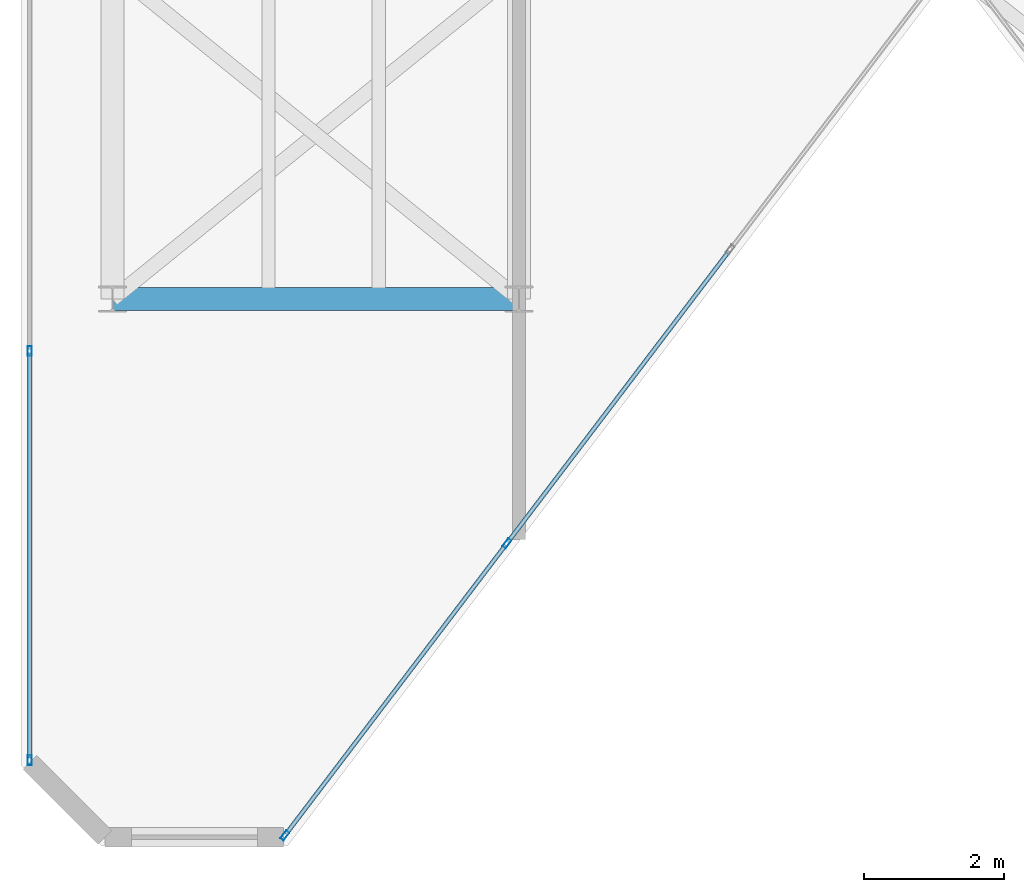
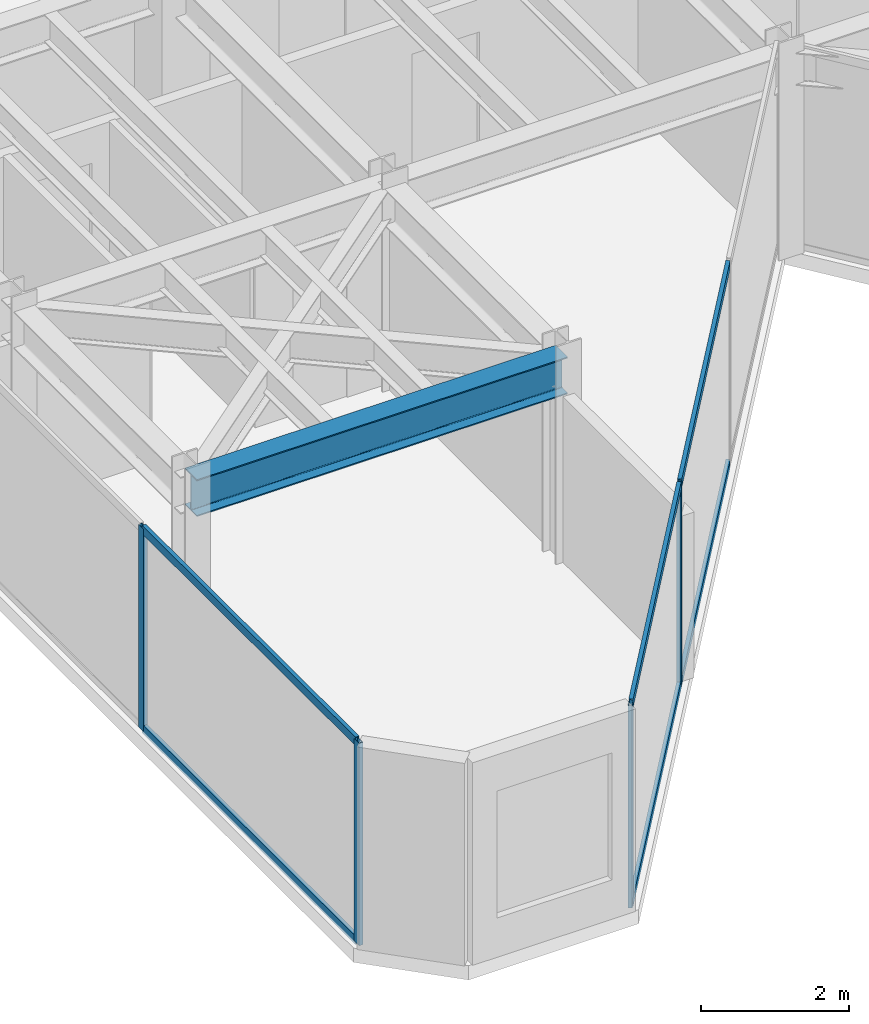
# One storey, part 2 of 17: 10 members, 1 beam, 2 elements without a shape of their own.
"""IFC4 building model written with IfcOpenShell, lengths in metres."""

import ifcopenshell
import ifcopenshell.guid

model = None  # the IFC model being written
_history = None  # IfcOwnerHistory: only IFC2X3 demands one
_inside = {}  # id of a spatial element -> (the spatial element, [elements in it])
_under = {}  # id of a project, library or spatial element -> (it, [spatial elements below it])
_declared = {}  # id of a project -> (the project, [libraries it declares])
_typed = {}  # id of a type object -> (the type object, [elements of that type])
_made_of = {}  # id of a material, layer set ... -> (it, [elements and type objects made of it])


def new_model(schema):
    """Start an empty IFC model of exactly this schema.

    Asked for "IFC4X3", IfcOpenShell would pick the latest addendum, in which some entities
    have other attributes; the version numbers below select the first issue.
    IFC2X3 requires an IfcOwnerHistory on every rooted entity: one is made here for all.
    """
    global model, _history
    if schema == "IFC4X3":
        model = ifcopenshell.file(schema_version=(4, 3, 0, 0))
    else:
        model = ifcopenshell.file(schema=schema)
    _inside.clear()
    _under.clear()
    _declared.clear()
    _typed.clear()
    _made_of.clear()
    _history = None
    if model.schema == "IFC2X3":
        org = make("IfcOrganization", Name="unknown")
        user = make(
            "IfcPersonAndOrganization",
            ThePerson=make("IfcPerson", FamilyName="unknown"),
            TheOrganization=org,
        )
        app = make(
            "IfcApplication",
            ApplicationDeveloper=org,
            Version="unknown",
            ApplicationFullName="unknown",
            ApplicationIdentifier="unknown",
        )
        _history = make(
            "IfcOwnerHistory",
            OwningUser=user,
            OwningApplication=app,
            ChangeAction="ADDED",
            CreationDate=0,
        )
    return model


def make(cls, **values):
    """One entity of the class cls with the attributes given. An attribute that is None is left unset."""
    return model.create_entity(
        cls, **{name: value for name, value in values.items() if value is not None}
    )


def rooted(cls, **values):
    """An entity with a GlobalId (a new one), such as an element, a storey or a relation."""
    return make(cls, GlobalId=ifcopenshell.guid.new(), OwnerHistory=_history, **values)


def si_unit(unit_type, name, prefix=None):
    """IfcSIUnit, for example si_unit("LENGTHUNIT", "METRE", prefix="MILLI")."""
    return make("IfcSIUnit", UnitType=unit_type, Prefix=prefix, Name=name)


def assignment(units):
    """IfcUnitAssignment: the units of a project."""
    return None if units is None else make("IfcUnitAssignment", Units=units)


def point(xyz):
    """IfcCartesianPoint."""
    return None if xyz is None else make("IfcCartesianPoint", Coordinates=xyz)


def direction(xyz):
    """IfcDirection."""
    return None if xyz is None else make("IfcDirection", DirectionRatios=xyz)


def frame(location, z_axis=None, x_axis=None):
    """IfcAxis2Placement3D, a coordinate frame: its origin and axes. An axis left out is left unset."""
    return make(
        "IfcAxis2Placement3D",
        Location=point(location),
        Axis=direction(z_axis),
        RefDirection=direction(x_axis),
    )


def frame_2d(location, x_axis=None):
    """IfcAxis2Placement2D, a coordinate frame in the plane: its origin and x axis."""
    return make(
        "IfcAxis2Placement2D", Location=point(location), RefDirection=direction(x_axis)
    )


def origin():
    """The frame at (0, 0, 0) with its axes left unset."""
    return frame((0.0, 0.0, 0.0))


def origin_2d():
    """The frame at (0, 0) in the plane with its x axis left unset."""
    return frame_2d((0.0, 0.0))


def place(relative_to, where):
    """IfcLocalPlacement: puts the frame where relative to a parent placement (None: the world)."""
    return make(
        "IfcLocalPlacement", PlacementRelTo=relative_to, RelativePlacement=where
    )


def context(
    kind, dimensions, precision=None, world=None, true_north=None, identifier=None
):
    """IfcGeometricRepresentationContext, for example the 3D "Model" context."""
    return make(
        "IfcGeometricRepresentationContext",
        ContextIdentifier=identifier,
        ContextType=kind,
        CoordinateSpaceDimension=dimensions,
        Precision=precision,
        WorldCoordinateSystem=world,
        TrueNorth=true_north,
    )


def subcontext(parent, identifier, kind, view, scale=None):
    """IfcGeometricRepresentationSubContext, for example "Body" below "Model"."""
    return make(
        "IfcGeometricRepresentationSubContext",
        ContextIdentifier=identifier,
        ContextType=kind,
        ParentContext=parent,
        TargetScale=scale,
        TargetView=view,
    )


def project(units=None, contexts=None):
    """IfcProject with its units and contexts."""
    return rooted(
        "IfcProject",
        Name="project",
        RepresentationContexts=contexts,
        UnitsInContext=assignment(units),
    )


def spatial(cls, under=None, at=None, **own):
    """A site, building, storey or space (cls), placed at a placement, below another one or the project."""
    s = rooted(cls, ObjectPlacement=at, **own)
    if under is not None:
        _under.setdefault(under.id(), (under, []))[1].append(s)
    return s


def profile(cls, at=None, kind="AREA", **sizes):
    """A parametric profile (cls). Its sizes go by their IFC names, for example OverallWidth=200.0."""
    return make(cls, ProfileType=kind, Position=at, **sizes)


def hollow_rectangle(**sizes):
    """IfcRectangleHollowProfileDef."""
    return profile("IfcRectangleHollowProfileDef", **sizes)


def i_section(**sizes):
    """IfcIShapeProfileDef."""
    return profile("IfcIShapeProfileDef", **sizes)


def extrude(swept, where, along, depth):
    """IfcExtrudedAreaSolid: the profile swept, set in the frame where, extruded along a direction by depth."""
    return make(
        "IfcExtrudedAreaSolid",
        SweptArea=swept,
        Position=where,
        ExtrudedDirection=direction(along),
        Depth=depth,
    )


def shape(context_of_items, identifier, shape_type, items):
    """IfcShapeRepresentation: the items that make up one representation, for example the "Body"."""
    return make(
        "IfcShapeRepresentation",
        ContextOfItems=context_of_items,
        RepresentationIdentifier=identifier,
        RepresentationType=shape_type,
        Items=items,
    )


def material(Name=None, Category=None):
    """IfcMaterial."""
    return make("IfcMaterial", Name=Name, Category=Category)


def layer(
    of_material, thickness, ventilated=None, Name=None, Category=None, Priority=None
):
    """IfcMaterialLayer: one layer of a wall or slab, of a material (None: an air gap)."""
    return make(
        "IfcMaterialLayer",
        Material=of_material,
        LayerThickness=thickness,
        IsVentilated=ventilated,
        Name=Name,
        Category=Category,
        Priority=Priority,
    )


def layer_set(layers, Name=None):
    """IfcMaterialLayerSet."""
    return make("IfcMaterialLayerSet", MaterialLayers=layers, LayerSetName=Name)


def material_profile(
    of_material, cross_section, Name=None, Category=None, Priority=None
):
    """IfcMaterialProfile: a cross section and its material."""
    return make(
        "IfcMaterialProfile",
        Name=Name,
        Material=of_material,
        Profile=cross_section,
        Priority=Priority,
        Category=Category,
    )


def profile_set(profiles, Name=None, composite=None):
    """IfcMaterialProfileSet."""
    return make(
        "IfcMaterialProfileSet",
        Name=Name,
        MaterialProfiles=profiles,
        CompositeProfile=composite,
    )


def made_of(thing, what):
    """Note that an element or type object is made of a material, layer set ...; save() writes the relation."""
    if what is not None:
        _made_of.setdefault(what.id(), (what, []))[1].append(thing)
    return thing


def type_object(cls, material=None, **own):
    """A type object (cls), such as IfcWallType, which elements share."""
    return made_of(rooted(cls, **own), material)


def element(
    cls,
    number,
    at=None,
    inside=None,
    cuts=None,
    type_object=None,
    material=None,
    context=None,
    identifier="Body",
    shape_type=None,
    held_by="IfcProductDefinitionShape",
    body=None,
    shapes=None,
    **own,
):
    """One element of the class cls, such as IfcWall. Its Tag is "e" and its number.

    at: its placement. inside: the storey or other place that contains it. cuts: it is an
    opening in that element (IfcRelVoidsElement). A single representation is given by context,
    identifier, shape_type and body (its items); several are given by shapes. held_by: the class
    of the entity that holds the representations. save() writes the other relations.
    """
    e = rooted(cls, Tag="e%d" % number, ObjectPlacement=at, **own)
    if body is not None:
        shapes = [shape(context, identifier, shape_type, body)]
    if shapes is not None:
        e.Representation = make(held_by, Representations=shapes)
    if inside is not None:
        _inside.setdefault(inside.id(), (inside, []))[1].append(e)
    if cuts is not None:
        rooted(
            "IfcRelVoidsElement", RelatingBuildingElement=cuts, RelatedOpeningElement=e
        )
    if type_object is not None:
        _typed.setdefault(type_object.id(), (type_object, []))[1].append(e)
    return made_of(e, material)


def aggregate(whole, parts):
    """IfcRelAggregates: a whole, such as a stair, and the parts it consists of."""
    return rooted("IfcRelAggregates", RelatingObject=whole, RelatedObjects=parts)


def save(model, path):
    """Write the relations noted so far, then the file.

    IfcRelAggregates (storeys below a building ...), IfcRelContainedInSpatialStructure (elements
    in a storey), IfcRelDefinesByType, IfcRelAssociatesMaterial and IfcRelDeclares: one each for
    every whole, place, type object, material and project.
    """
    for whole, parts in _under.values():
        aggregate(whole, parts)
    for where, things in _inside.values():
        rooted(
            "IfcRelContainedInSpatialStructure",
            RelatedElements=things,
            RelatingStructure=where,
        )
    for kind, things in _typed.values():
        rooted("IfcRelDefinesByType", RelatedObjects=things, RelatingType=kind)
    for what, things in _made_of.values():
        rooted("IfcRelAssociatesMaterial", RelatedObjects=things, RelatingMaterial=what)
    for by, libraries in _declared.values():
        rooted("IfcRelDeclares", RelatingContext=by, RelatedDefinitions=libraries)
    model.write(path)


model = new_model("IFC4")

# Units and contexts
model_context = context("Model", 3, precision=1e-05, world=origin(), true_north=direction((0.0, 1.0)))
body_context = subcontext(model_context, "Body", "Model", "MODEL_VIEW")
ifc_project = project(units=[si_unit("LENGTHUNIT", "METRE"), si_unit("AREAUNIT", "SQUARE_METRE"), si_unit("VOLUMEUNIT", "CUBIC_METRE"), si_unit("PLANEANGLEUNIT", "RADIAN"), si_unit("MASSUNIT", "GRAM", prefix="KILO")], contexts=[model_context])

# Site, building, storey
site_placement = place(None, origin())
site = spatial("IfcSite", under=ifc_project, at=site_placement, CompositionType="ELEMENT")
building_placement = place(site_placement, origin())
building = spatial("IfcBuilding", under=site, at=building_placement, Name="Kravanh Interchange Tower", CompositionType="ELEMENT")
storey_placement = place(building_placement, frame((0.0, 0.0, 293.10009765625)))
storey = spatial("IfcBuildingStorey", under=building, at=storey_placement, Name="L72", CompositionType="ELEMENT", Elevation=293.10009765625)

# Curtain wall, members
ifc_material_1 = material(Name="Anodised Bronze Aluminium", Category="aluminium")
ifc_layer = layer(ifc_material_1, 0.179931640625)
ifc_layer_set = layer_set([ifc_layer], Name="Unitised Curtain Wall System CW-HTL Luxury Hotel")
curtain_wall_type = type_object("IfcCurtainWallType", Name="Unitised Curtain Wall System CW-HTL Luxury Hotel", PredefinedType="NOTDEFINED", material=ifc_layer_set)
curtain_wall_1_placement = place(storey_placement, origin())
curtain_wall_1 = element("IfcCurtainWall", 1, at=curtain_wall_1_placement, inside=storey, type_object=curtain_wall_type, Name="L72 Unitised Curtain Wall CW-L72-01", PredefinedType="NOTDEFINED")
ifc_material_2 = material(Name="Anodised Bronze Aluminium", Category="aluminium")
ifc_material_profile_1 = material_profile(ifc_material_2, hollow_rectangle(XDim=0.06005859375, YDim=0.139892578125, WallThickness=0.00390625, at=origin_2d()), Name="ALU60X140X4")
ifc_profile_set_1 = profile_set([ifc_material_profile_1], Name="Anodised Bronze Aluminium")
member_type_1 = type_object("IfcMemberType", Name="Curtain Wall Mullion ALU60X140X4 Bronze", PredefinedType="MULLION", material=ifc_profile_set_1)
member_1_placement = place(storey_placement, frame((31.6201171875, 20.2197265625, 0.0), z_axis=(0.0, 0.0, 1.0), x_axis=(-1.0, 0.0, 0.0)))
member_1 = element("IfcMember", 2, at=member_1_placement, type_object=member_type_1, Name="CW-HTL mullion 1", PredefinedType="MULLION", context=body_context, shape_type="SweptSolid", body=[
    extrude(hollow_rectangle(XDim=0.06005859375, YDim=0.139892578125, WallThickness=0.00390625, at=origin_2d()), origin(), (0.0, 0.0, 1.0), 3.349853515625),
])
member_2_placement = place(storey_placement, frame((31.6201171875, 26.059814453125, 0.0), z_axis=(0.0, 0.0, 1.0), x_axis=(-1.0, 0.0, 0.0)))
member_2 = element("IfcMember", 3, at=member_2_placement, type_object=member_type_1, Name="CW-HTL mullion 2", PredefinedType="MULLION", context=body_context, shape_type="SweptSolid", body=[
    extrude(hollow_rectangle(XDim=0.06005859375, YDim=0.139892578125, WallThickness=0.00390625, at=origin_2d()), origin(), (0.0, 0.0, 1.0), 3.349853515625),
])

curtain_wall_2_placement = place(storey_placement, origin())
curtain_wall_2 = element("IfcCurtainWall", 4, at=curtain_wall_2_placement, inside=storey, type_object=curtain_wall_type, Name="L72 Unitised Curtain Wall CW-L72-05", PredefinedType="NOTDEFINED")
member_3_placement = place(storey_placement, frame((38.427001953125, 23.312744140625, 0.0), z_axis=(0.0, 0.0, 1.0), x_axis=(0.79616243806, -0.605082946564, 0.0)))
member_3 = element("IfcMember", 5, at=member_3_placement, type_object=member_type_1, Name="CW-HTL mullion 3", PredefinedType="MULLION", context=body_context, shape_type="SweptSolid", body=[
    extrude(hollow_rectangle(XDim=0.06005859375, YDim=0.139892578125, WallThickness=0.00390625, at=origin_2d()), origin(), (0.0, 0.0, 1.0), 3.349853515625),
])
member_4_placement = place(storey_placement, frame((35.258544921875, 19.143798828125, 0.0), z_axis=(0.0, 0.0, 1.0), x_axis=(0.79616243806, -0.605082946564, 0.0)))
member_4 = element("IfcMember", 6, at=member_4_placement, type_object=member_type_1, Name="CW-HTL mullion 4", PredefinedType="MULLION", context=body_context, shape_type="SweptSolid", body=[
    extrude(hollow_rectangle(XDim=0.06005859375, YDim=0.139892578125, WallThickness=0.00390625, at=origin_2d()), origin(), (0.0, 0.0, 1.0), 3.349853515625),
])

# Member
ifc_material_3 = material(Name="Anodised Bronze Aluminium", Category="aluminium")
ifc_material_profile_2 = material_profile(ifc_material_3, hollow_rectangle(XDim=0.06005859375, YDim=0.139892578125, WallThickness=0.00390625, at=origin_2d()), Name="ALU60X140X4")
ifc_profile_set_2 = profile_set([ifc_material_profile_2], Name="Anodised Bronze Aluminium")
member_type_2 = type_object("IfcMemberType", Name="Curtain Wall Transom ALU60X140X4 Bronze", PredefinedType="USERDEFINED", material=ifc_profile_set_2)
member_5_placement = place(storey_placement, frame((31.6201171875, 20.249755859375, 0.02978515625), z_axis=(0.0, 1.0, 0.0), x_axis=(-1.0, 0.0, 0.0)))
member_5 = element("IfcMember", 7, at=member_5_placement, type_object=member_type_2, Name="CW-HTL transom 1.1", ObjectType="TRANSOM", PredefinedType="USERDEFINED", context=body_context, shape_type="SweptSolid", body=[
    extrude(hollow_rectangle(XDim=0.06005859375, YDim=0.139892578125, WallThickness=0.00390625, at=origin_2d()), origin(), (0.0, 0.0, 1.0), 5.780029296875),
])

member_6_placement = place(storey_placement, frame((31.6201171875, 20.249755859375, 3.31982421875), z_axis=(0.0, 1.0, 0.0), x_axis=(-1.0, 0.0, 0.0)))
member_6 = element("IfcMember", 8, at=member_6_placement, type_object=member_type_2, Name="CW-HTL transom 1.2", ObjectType="TRANSOM", PredefinedType="USERDEFINED", context=body_context, shape_type="SweptSolid", body=[
    extrude(hollow_rectangle(XDim=0.06005859375, YDim=0.139892578125, WallThickness=0.00390625, at=origin_2d()), origin(), (0.0, 0.0, 1.0), 5.780029296875),
])

aggregate(curtain_wall_1, [member_1, member_2, member_5, member_6])

member_7_placement = place(storey_placement, frame((41.595458984375, 27.481689453125, 0.02978515625), z_axis=(-0.605104668693, -0.796145928788, 0.0), x_axis=(0.796145928788, -0.605104668693, 0.0)))
member_7 = element("IfcMember", 9, at=member_7_placement, type_object=member_type_2, Name="CW-HTL transom 2.1", ObjectType="TRANSOM", PredefinedType="USERDEFINED", context=body_context, shape_type="SweptSolid", body=[
    extrude(hollow_rectangle(XDim=0.06005859375, YDim=0.139892578125, WallThickness=0.00390625, at=origin_2d()), origin(), (0.0, 0.0, 1.0), 5.206298828125),
])

member_8_placement = place(storey_placement, frame((41.595458984375, 27.481689453125, 3.31982421875), z_axis=(-0.605104668693, -0.796145928788, 0.0), x_axis=(0.796145928788, -0.605104668693, 0.0)))
member_8 = element("IfcMember", 10, at=member_8_placement, type_object=member_type_2, Name="CW-HTL transom 2.2", ObjectType="TRANSOM", PredefinedType="USERDEFINED", context=body_context, shape_type="SweptSolid", body=[
    extrude(hollow_rectangle(XDim=0.06005859375, YDim=0.139892578125, WallThickness=0.00390625, at=origin_2d()), origin(), (0.0, 0.0, 1.0), 5.206298828125),
])

member_9_placement = place(storey_placement, frame((38.408935546875, 23.288818359375, 0.02978515625), z_axis=(-0.605089246946, -0.796157649734, 0.0), x_axis=(0.796157649734, -0.605089246946, 0.0)))
member_9 = element("IfcMember", 11, at=member_9_placement, type_object=member_type_2, Name="CW-HTL transom 3.1", ObjectType="TRANSOM", PredefinedType="USERDEFINED", context=body_context, shape_type="SweptSolid", body=[
    extrude(hollow_rectangle(XDim=0.06005859375, YDim=0.139892578125, WallThickness=0.00390625, at=origin_2d()), origin(), (0.0, 0.0, 1.0), 5.17626953125),
])

member_10_placement = place(storey_placement, frame((38.408935546875, 23.288818359375, 3.31982421875), z_axis=(-0.605089246946, -0.796157649734, 0.0), x_axis=(0.796157649734, -0.605089246946, 0.0)))
member_10 = element("IfcMember", 12, at=member_10_placement, type_object=member_type_2, Name="CW-HTL transom 3.2", ObjectType="TRANSOM", PredefinedType="USERDEFINED", context=body_context, shape_type="SweptSolid", body=[
    extrude(hollow_rectangle(XDim=0.06005859375, YDim=0.139892578125, WallThickness=0.00390625, at=origin_2d()), origin(), (0.0, 0.0, 1.0), 5.17626953125),
])

aggregate(curtain_wall_2, [member_3, member_4, member_7, member_8, member_9, member_10])

# Beam
ifc_material_4 = material(Name="Structural Steel S355", Category="steel")
ifc_material_profile_3 = material_profile(ifc_material_4, i_section(OverallWidth=0.323974609375, OverallDepth=0.611083984375, WebThickness=0.0126953125, FlangeThickness=0.01904296875, FilletRadius=0.02197265625, at=origin_2d()), Name="W24X104")
ifc_profile_set_3 = profile_set([ifc_material_profile_3], Name="Structural Steel S355")
beam_type = type_object("IfcBeamType", Name="Floor Beam W24X104 Structural Steel S355", PredefinedType="BEAM", material=ifc_profile_set_3)
beam_placement = place(storey_placement, frame((38.60009765625, 26.800048828125, 3.04443359375), z_axis=(-1.0, 0.0, 0.0), x_axis=(0.0, -1.0, 0.0)))
element("IfcBeam", 13, at=beam_placement, inside=storey, type_object=beam_type, Name="L72 Primary Floor Girder 24", PredefinedType="BEAM", context=body_context, shape_type="SweptSolid", body=[
    extrude(i_section(OverallWidth=0.323974609375, OverallDepth=0.611083984375, WebThickness=0.0126953125, FlangeThickness=0.01904296875, FilletRadius=0.02197265625, at=origin_2d()), origin(), (0.0, 0.0, 1.0), 5.800048828125),
])

save(model, "model.ifc")
